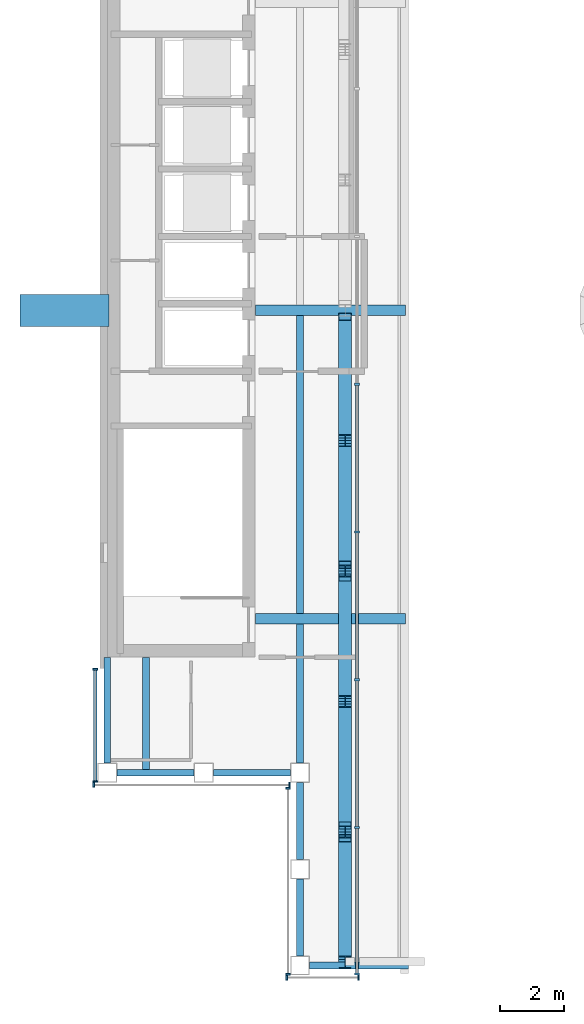
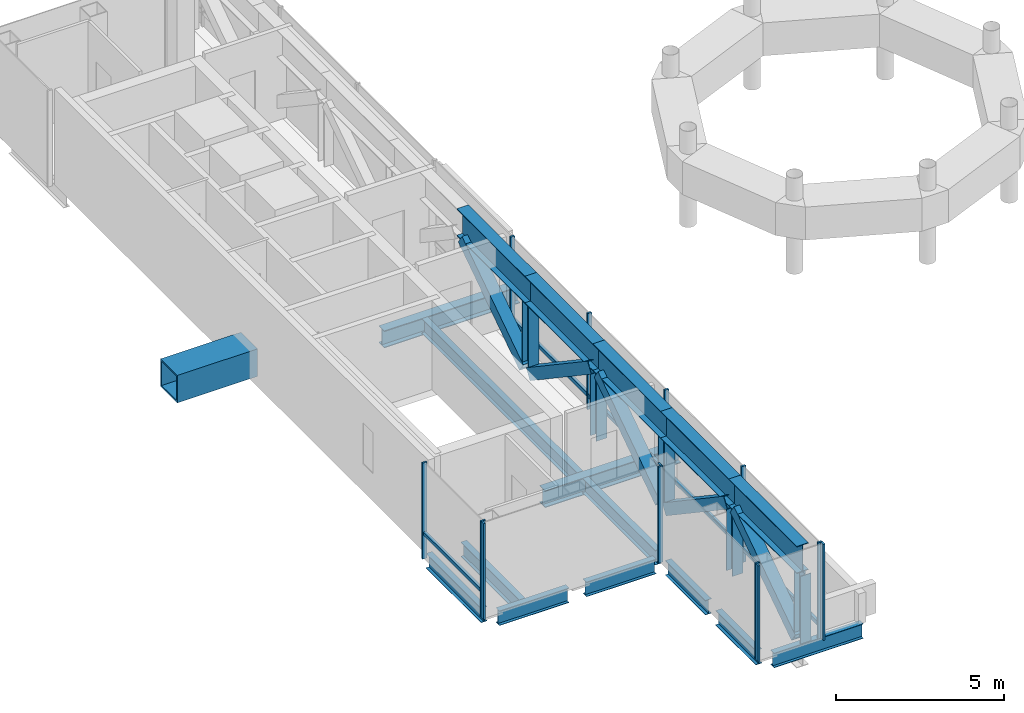
# One storey, part 3 of 16: 33 members, 12 beams, 5 elements without a shape of their own.
"""IFC4 building model written with IfcOpenShell, lengths in metres."""

from ifc_helpers import new_model, si_unit, direction, frame, origin, origin_2d, place, context, subcontext, project, spatial, rectangle, hollow_rectangle, i_section, extrude, material, material_profile, profile_set, type_object, element, aggregate, save


model = new_model("IFC4")

# Units and contexts
model_context = context("Model", 3, precision=1e-05, world=origin(), true_north=direction((0.0, 1.0)))
body_context = subcontext(model_context, "Body", "Model", "MODEL_VIEW")
ifc_project = project(units=[si_unit("LENGTHUNIT", "METRE"), si_unit("AREAUNIT", "SQUARE_METRE"), si_unit("VOLUMEUNIT", "CUBIC_METRE"), si_unit("PLANEANGLEUNIT", "RADIAN"), si_unit("MASSUNIT", "GRAM", prefix="KILO")], contexts=[model_context])

# Site, building, storey
site_placement = place(None, origin())
site = spatial("IfcSite", under=ifc_project, at=site_placement, CompositionType="ELEMENT")
building_placement = place(site_placement, origin())
building = spatial("IfcBuilding", under=site, at=building_placement, Name="Cobrizo Arcos Hotel Tower", CompositionType="ELEMENT")
storey_placement = place(building_placement, frame((0.0, 0.0, 286.5)))
storey = spatial("IfcBuildingStorey", under=building, at=storey_placement, Name="L76", CompositionType="ELEMENT", Elevation=286.5)

# Beam
ifc_material_1 = material(Name="Steel ASTM A572 Grade 50", Category="steel")
ifc_material_profile_1 = material_profile(ifc_material_1, hollow_rectangle(XDim=1.0, YDim=1.0, WallThickness=0.06005859375, at=origin_2d()), Name="BOX 1000X1000X60")
ifc_profile_set_1 = profile_set([ifc_material_profile_1], Name="Steel ASTM A572 Grade 50")
beam_type_1 = type_object("IfcBeamType", Name="BOX 1000X1000X60 brace connector strut", PredefinedType="BEAM", material=ifc_profile_set_1)
beam_1_placement = place(storey_placement, frame((-20.35009765625, 0.0, 0.5), z_axis=(-1.0, 0.0, 0.0), x_axis=(0.0, -1.0, 0.0)))
element("IfcBeam", 1, at=beam_1_placement, inside=storey, type_object=beam_type_1, Name="Perimeter brace stub BS1, zone Z5, west face, offset +0.00 m, L76", PredefinedType="BEAM", context=body_context, shape_type="SweptSolid", body=[
    extrude(hollow_rectangle(XDim=1.0, YDim=1.0, WallThickness=0.06005859375, at=origin_2d()), origin(), (0.0, 0.0, 1.0), 2.77001953125),
])

# Curtain wall, members
ifc_material_2 = material(Name="Aluminium 6063-T6 anodised bronze", Category="aluminium")
curtain_wall_type_1 = type_object("IfcCurtainWallType", Name="CW-A guest facade", PredefinedType="NOTDEFINED", material=ifc_material_2)
curtain_wall_1_placement = place(storey_placement, origin())
curtain_wall_1 = element("IfcCurtainWall", 2, at=curtain_wall_1_placement, inside=storey, type_object=curtain_wall_type_1, Name="CW-A L76 S face", PredefinedType="NOTDEFINED")
ifc_material_profile_2 = material_profile(ifc_material_2, rectangle(XDim=0.14990234375, YDim=0.06005859375, at=origin_2d()), Name="CW-A mullion 150x60")
ifc_profile_set_2 = profile_set([ifc_material_profile_2], Name="Aluminium 6063-T6 anodised bronze")
member_type_1 = type_object("IfcMemberType", Name="CW-A mullion 150x60", PredefinedType="MULLION", material=ifc_profile_set_2)
member_1_placement = place(storey_placement, frame((-14.820068359375, -20.77490234375, 0.0), z_axis=(0.0, 0.0, 1.0), x_axis=(0.0, -1.0, 0.0)))
member_1 = element("IfcMember", 3, at=member_1_placement, type_object=member_type_1, Name="CW-A mullion 1", PredefinedType="MULLION", context=body_context, shape_type="SweptSolid", body=[
    extrude(rectangle(XDim=0.14990234375, YDim=0.06005859375, at=origin_2d()), origin(), (0.0, 0.0, 1.0), 3.5),
])
member_2_placement = place(storey_placement, frame((-12.580078125, -20.77490234375, 0.0), z_axis=(0.0, 0.0, 1.0), x_axis=(0.0, -1.0, 0.0)))
member_2 = element("IfcMember", 4, at=member_2_placement, type_object=member_type_1, Name="CW-A mullion 2", PredefinedType="MULLION", context=body_context, shape_type="SweptSolid", body=[
    extrude(rectangle(XDim=0.14990234375, YDim=0.06005859375, at=origin_2d()), origin(), (0.0, 0.0, 1.0), 3.5),
])
aggregate(curtain_wall_1, [member_1, member_2])

curtain_wall_2_placement = place(storey_placement, origin())
curtain_wall_2 = element("IfcCurtainWall", 5, at=curtain_wall_2_placement, inside=storey, type_object=curtain_wall_type_1, Name="CW-A L76 W face", PredefinedType="NOTDEFINED")
member_3_placement = place(storey_placement, frame((-20.77490234375, -11.179931640625, 0.0), z_axis=(0.0, 0.0, 1.0), x_axis=(-1.0, 0.0, 0.0)))
member_3 = element("IfcMember", 6, at=member_3_placement, type_object=member_type_1, Name="CW-A mullion 1", PredefinedType="MULLION", context=body_context, shape_type="SweptSolid", body=[
    extrude(rectangle(XDim=0.14990234375, YDim=0.06005859375, at=origin_2d()), origin(), (0.0, 0.0, 1.0), 3.5),
])
member_4_placement = place(storey_placement, frame((-20.77490234375, -14.669921875, 0.0), z_axis=(0.0, 0.0, 1.0), x_axis=(-1.0, 0.0, 0.0)))
member_4 = element("IfcMember", 7, at=member_4_placement, type_object=member_type_1, Name="CW-A mullion 2", PredefinedType="MULLION", context=body_context, shape_type="SweptSolid", body=[
    extrude(rectangle(XDim=0.14990234375, YDim=0.06005859375, at=origin_2d()), origin(), (0.0, 0.0, 1.0), 3.5),
])

curtain_wall_3_placement = place(storey_placement, origin())
curtain_wall_3 = element("IfcCurtainWall", 8, at=curtain_wall_3_placement, inside=storey, type_object=curtain_wall_type_1, Name="CW-A L76 S face", PredefinedType="NOTDEFINED")
member_5_placement = place(storey_placement, frame((-20.820068359375, -14.77490234375, 0.0), z_axis=(0.0, 0.0, 1.0), x_axis=(0.0, -1.0, 0.0)))
member_5 = element("IfcMember", 9, at=member_5_placement, type_object=member_type_1, Name="CW-A mullion 1", PredefinedType="MULLION", context=body_context, shape_type="SweptSolid", body=[
    extrude(rectangle(XDim=0.14990234375, YDim=0.06005859375, at=origin_2d()), origin(), (0.0, 0.0, 1.0), 3.5),
])
member_6_placement = place(storey_placement, frame((-14.72998046875, -14.77490234375, 0.0), z_axis=(0.0, 0.0, 1.0), x_axis=(0.0, -1.0, 0.0)))
member_6 = element("IfcMember", 10, at=member_6_placement, type_object=member_type_1, Name="CW-A mullion 2", PredefinedType="MULLION", context=body_context, shape_type="SweptSolid", body=[
    extrude(rectangle(XDim=0.14990234375, YDim=0.06005859375, at=origin_2d()), origin(), (0.0, 0.0, 1.0), 3.5),
])
aggregate(curtain_wall_3, [member_5, member_6])

curtain_wall_4_placement = place(storey_placement, origin())
curtain_wall_4 = element("IfcCurtainWall", 11, at=curtain_wall_4_placement, inside=storey, type_object=curtain_wall_type_1, Name="CW-A L76 W face", PredefinedType="NOTDEFINED")
member_7_placement = place(storey_placement, frame((-14.77490234375, -14.8798828125, 0.0), z_axis=(0.0, 0.0, 1.0), x_axis=(-1.0, 0.0, 0.0)))
member_7 = element("IfcMember", 12, at=member_7_placement, type_object=member_type_1, Name="CW-A mullion 1", PredefinedType="MULLION", context=body_context, shape_type="SweptSolid", body=[
    extrude(rectangle(XDim=0.14990234375, YDim=0.06005859375, at=origin_2d()), origin(), (0.0, 0.0, 1.0), 3.5),
])
member_8_placement = place(storey_placement, frame((-14.77490234375, -20.669921875, 0.0), z_axis=(0.0, 0.0, 1.0), x_axis=(-1.0, 0.0, 0.0)))
member_8 = element("IfcMember", 13, at=member_8_placement, type_object=member_type_1, Name="CW-A mullion 2", PredefinedType="MULLION", context=body_context, shape_type="SweptSolid", body=[
    extrude(rectangle(XDim=0.14990234375, YDim=0.06005859375, at=origin_2d()), origin(), (0.0, 0.0, 1.0), 3.5),
])
aggregate(curtain_wall_4, [member_7, member_8])

# Member
ifc_material_profile_3 = material_profile(ifc_material_2, rectangle(XDim=0.10009765625, YDim=0.1201171875, at=origin_2d()), Name="CW-A transom 120x100")
ifc_profile_set_3 = profile_set([ifc_material_profile_3], Name="Aluminium 6063-T6 anodised bronze")
member_type_2 = type_object("IfcMemberType", Name="CW-A transom 120x100", PredefinedType="USERDEFINED", material=ifc_profile_set_3)
member_9_placement = place(storey_placement, frame((-20.77490234375, -11.2099609375, 0.929931640625), z_axis=(0.0, -1.0, 0.0), x_axis=(1.0, 0.0, 0.0)))
member_9 = element("IfcMember", 14, at=member_9_placement, type_object=member_type_2, Name="CW-A transom 2423", ObjectType="TRANSOM", PredefinedType="USERDEFINED", context=body_context, shape_type="SweptSolid", body=[
    extrude(rectangle(XDim=0.10009765625, YDim=0.1201171875, at=origin_2d()), origin(), (0.0, 0.0, 1.0), 3.429931640625),
])

aggregate(curtain_wall_2, [member_3, member_4, member_9])

# Curtain wall, members
curtain_wall_type_2 = type_object("IfcCurtainWallType", Name="CW-C arch infill and crown glazing", PredefinedType="NOTDEFINED", material=ifc_material_2)
curtain_wall_5_placement = place(storey_placement, origin())
curtain_wall_5 = element("IfcCurtainWall", 15, at=curtain_wall_5_placement, inside=storey, type_object=curtain_wall_type_2, Name="CW-C L76 E face", PredefinedType="NOTDEFINED")
ifc_material_profile_4 = material_profile(ifc_material_2, rectangle(XDim=0.14990234375, YDim=0.070068359375, at=origin_2d()), Name="CW-C mullion 150x70")
ifc_profile_set_4 = profile_set([ifc_material_profile_4], Name="Aluminium 6063-T6 anodised bronze")
member_type_3 = type_object("IfcMemberType", Name="CW-C mullion 150x70", PredefinedType="MULLION", material=ifc_profile_set_4)
member_10_placement = place(storey_placement, frame((-12.625, -20.6650390625, 0.0), z_axis=(0.0, 0.0, 1.0), x_axis=(1.0, 0.0, 0.0)))
member_10 = element("IfcMember", 16, at=member_10_placement, type_object=member_type_3, Name="CW-C mullion 1", PredefinedType="MULLION", context=body_context, shape_type="SweptSolid", body=[
    extrude(rectangle(XDim=0.14990234375, YDim=0.070068359375, at=origin_2d()), origin(), (0.0, 0.0, 1.0), 3.5),
])
member_11_placement = place(storey_placement, frame((-12.625, -16.10009765625, 0.0), z_axis=(0.0, 0.0, 1.0), x_axis=(1.0, 0.0, 0.0)))
member_11 = element("IfcMember", 17, at=member_11_placement, type_object=member_type_3, Name="CW-C mullion 2", PredefinedType="MULLION", context=body_context, shape_type="SweptSolid", body=[
    extrude(rectangle(XDim=0.14990234375, YDim=0.070068359375, at=origin_2d()), origin(), (0.0, 0.0, 1.0), 3.5),
])
member_12_placement = place(storey_placement, frame((-12.625, -11.5, 0.0), z_axis=(0.0, 0.0, 1.0), x_axis=(1.0, 0.0, 0.0)))
member_12 = element("IfcMember", 18, at=member_12_placement, type_object=member_type_3, Name="CW-C mullion 3", PredefinedType="MULLION", context=body_context, shape_type="SweptSolid", body=[
    extrude(rectangle(XDim=0.14990234375, YDim=0.070068359375, at=origin_2d()), origin(), (0.0, 0.0, 1.0), 3.5),
])
member_13_placement = place(storey_placement, frame((-12.625, -6.89990234375, 0.0), z_axis=(0.0, 0.0, 1.0), x_axis=(1.0, 0.0, 0.0)))
member_13 = element("IfcMember", 19, at=member_13_placement, type_object=member_type_3, Name="CW-C mullion 4", PredefinedType="MULLION", context=body_context, shape_type="SweptSolid", body=[
    extrude(rectangle(XDim=0.14990234375, YDim=0.070068359375, at=origin_2d()), origin(), (0.0, 0.0, 1.0), 3.5),
])
member_14_placement = place(storey_placement, frame((-12.625, -2.300048828125, 0.0), z_axis=(0.0, 0.0, 1.0), x_axis=(1.0, 0.0, 0.0)))
member_14 = element("IfcMember", 20, at=member_14_placement, type_object=member_type_3, Name="CW-C mullion 5", PredefinedType="MULLION", context=body_context, shape_type="SweptSolid", body=[
    extrude(rectangle(XDim=0.14990234375, YDim=0.070068359375, at=origin_2d()), origin(), (0.0, 0.0, 1.0), 3.5),
])
ifc_material_profile_5 = material_profile(ifc_material_2, rectangle(XDim=0.10009765625, YDim=0.139892578125, at=origin_2d()), Name="CW-C transom 140x100")
ifc_profile_set_5 = profile_set([ifc_material_profile_5], Name="Aluminium 6063-T6 anodised bronze")
member_type_4 = type_object("IfcMemberType", Name="CW-C transom 140x100", PredefinedType="USERDEFINED", material=ifc_profile_set_5)
member_15_placement = place(storey_placement, frame((-12.625, -20.6298828125, 0.5), z_axis=(0.0, 1.0, 0.0), x_axis=(-1.0, 0.0, 0.0)))
member_15 = element("IfcMember", 21, at=member_15_placement, type_object=member_type_4, Name="CW-C transom 2410", ObjectType="TRANSOM", PredefinedType="USERDEFINED", context=body_context, shape_type="SweptSolid", body=[
    extrude(rectangle(XDim=0.10009765625, YDim=0.139892578125, at=origin_2d()), origin(), (0.0, 0.0, 1.0), 4.494873046875),
])
member_16_placement = place(storey_placement, frame((-12.625, -16.06494140625, 0.5), z_axis=(0.0, 1.0, 0.0), x_axis=(-1.0, 0.0, 0.0)))
member_16 = element("IfcMember", 22, at=member_16_placement, type_object=member_type_4, Name="CW-C transom 2411", ObjectType="TRANSOM", PredefinedType="USERDEFINED", context=body_context, shape_type="SweptSolid", body=[
    extrude(rectangle(XDim=0.10009765625, YDim=0.139892578125, at=origin_2d()), origin(), (0.0, 0.0, 1.0), 4.530029296875),
])
member_17_placement = place(storey_placement, frame((-12.625, -11.465087890625, 0.5), z_axis=(0.0, 1.0, 0.0), x_axis=(-1.0, 0.0, 0.0)))
member_17 = element("IfcMember", 23, at=member_17_placement, type_object=member_type_4, Name="CW-C transom 2412", ObjectType="TRANSOM", PredefinedType="USERDEFINED", context=body_context, shape_type="SweptSolid", body=[
    extrude(rectangle(XDim=0.10009765625, YDim=0.139892578125, at=origin_2d()), origin(), (0.0, 0.0, 1.0), 4.530029296875),
])
member_18_placement = place(storey_placement, frame((-12.625, -6.864990234375, 0.5), z_axis=(0.0, 1.0, 0.0), x_axis=(-1.0, 0.0, 0.0)))
member_18 = element("IfcMember", 24, at=member_18_placement, type_object=member_type_4, Name="CW-C transom 2413", ObjectType="TRANSOM", PredefinedType="USERDEFINED", context=body_context, shape_type="SweptSolid", body=[
    extrude(rectangle(XDim=0.10009765625, YDim=0.139892578125, at=origin_2d()), origin(), (0.0, 0.0, 1.0), 4.530029296875),
])
aggregate(curtain_wall_5, [member_10, member_11, member_12, member_13, member_14, member_15, member_16, member_17, member_18])

# Members
ifc_material_3 = material(Name="Steel ASTM A500 Grade C", Category="steel")
ifc_material_profile_6 = material_profile(ifc_material_3, hollow_rectangle(XDim=0.406494140625, YDim=0.406494140625, WallThickness=0.014892578125, at=origin_2d()), Name="HSS16X16X5/8")
ifc_profile_set_6 = profile_set([ifc_material_profile_6], Name="Steel ASTM A500 Grade C")
member_type_5 = type_object("IfcMemberType", Name="HSS16X16X5/8 crown edge truss diagonal", PredefinedType="BRACE", material=ifc_profile_set_6)
for number, where, z_axis, x_axis, name in (
    (25, (-13.0, -20.09521484375, -0.14990234375), (0.0, 0.829957061143, 0.557827282104), (-1.0, 0.0, 0.0), "Crown truss diagonal CD1, west side, no. 00"),
    (26, (-13.0, -16.036376953125, 2.309326171875), (0.0, 0.829974292143, -0.557801644299), (-1.0, 0.0, 0.0), "Crown truss diagonal CD1, west side, no. 01"),
    (27, (-13.0, -11.977294921875, -0.14990234375), (0.0, 0.829974292143, 0.557801644299), (-1.0, 0.0, 0.0), "Crown truss diagonal CD1, west side, no. 02"),
    (28, (-13.0, -7.918212890625, 2.309326171875), (0.0, 0.829974292143, -0.557801644299), (-1.0, 0.0, 0.0), "Crown truss diagonal CD1, west side, no. 03"),
    (29, (-13.0, -3.859130859375, -0.14990234375), (0.0, 0.829974292143, 0.557801644299), (-1.0, 0.0, 0.0), "Crown truss diagonal CD1, west side, no. 04"),
):
    element("IfcMember", number, at=place(storey_placement, frame(where, z_axis=z_axis, x_axis=x_axis)), inside=storey, type_object=member_type_5, Name=name, PredefinedType="BRACE", context=body_context, shape_type="SweptSolid", body=[
        extrude(hollow_rectangle(XDim=0.406494140625, YDim=0.406494140625, WallThickness=0.014892578125, at=origin_2d()), origin(), (0.0, 0.0, 1.0), 4.40869140625),
    ])
ifc_material_4 = material(Name="Steel ASTM A992 Grade 50", Category="steel")
ifc_material_profile_7 = material_profile(ifc_material_4, i_section(OverallWidth=0.373291015625, OverallDepth=0.373291015625, WebThickness=0.016357421875, FlangeThickness=0.026123046875, at=origin_2d()), Name="W14X132")
ifc_profile_set_7 = profile_set([ifc_material_profile_7], Name="Steel ASTM A992 Grade 50")
member_type_6 = type_object("IfcMemberType", Name="W14X132 crown edge truss post", PredefinedType="POST", material=ifc_profile_set_7)
for number, where, z_axis, x_axis, name in (
    (30, (-13.0, -20.29541015625, -0.14990234375), (0.0, 0.0, 1.0), (1.0, 0.0, 0.0), "Crown truss post CP1, west side, no. 00"),
    (31, (-13.0, -16.236328125, -0.14990234375), (0.0, 0.0, 1.0), (1.0, 0.0, 0.0), "Crown truss post CP1, west side, no. 01"),
    (32, (-13.0, -12.17724609375, -0.14990234375), (0.0, 0.0, 1.0), (1.0, 0.0, 0.0), "Crown truss post CP1, west side, no. 02"),
    (33, (-13.0, -8.1181640625, -0.14990234375), (0.0, 0.0, 1.0), (1.0, 0.0, 0.0), "Crown truss post CP1, west side, no. 03"),
    (34, (-13.0, -4.05908203125, -0.14990234375), (0.0, 0.0, 1.0), (1.0, 0.0, 0.0), "Crown truss post CP1, west side, no. 04"),
):
    element("IfcMember", number, at=place(storey_placement, frame(where, z_axis=z_axis, x_axis=x_axis)), inside=storey, type_object=member_type_6, Name=name, PredefinedType="POST", context=body_context, shape_type="SweptSolid", body=[
        extrude(i_section(OverallWidth=0.373291015625, OverallDepth=0.373291015625, WebThickness=0.016357421875, FlangeThickness=0.026123046875, at=origin_2d()), origin(), (0.0, 0.0, 1.0), 2.459228515625),
    ])

# Beams
ifc_material_profile_8 = material_profile(ifc_material_4, i_section(OverallWidth=0.209228515625, OverallDepth=0.533447265625, WebThickness=0.01025390625, FlangeThickness=0.015625, at=origin_2d()), Name="W21X62")
ifc_profile_set_8 = profile_set([ifc_material_profile_8], Name="Steel ASTM A992 Grade 50")
beam_type_2 = type_object("IfcBeamType", Name="W21X62 joist", PredefinedType="JOIST", material=ifc_profile_set_8)
beam_2_placement = place(storey_placement, frame((-19.199951171875, -14.31005859375, -0.416748046875), z_axis=(0.0, 1.0, 0.0), x_axis=(-1.0, 0.0, 0.0)))
element("IfcBeam", 35, at=beam_2_placement, inside=storey, type_object=beam_type_2, Name="Floor joist J1, L76, no. 001", PredefinedType="JOIST", context=body_context, shape_type="SweptSolid", body=[
    extrude(i_section(OverallWidth=0.209228515625, OverallDepth=0.533447265625, WebThickness=0.01025390625, FlangeThickness=0.015625, at=origin_2d()), origin(), (0.0, 0.0, 1.0), 3.5),
])
beam_3_placement = place(storey_placement, frame((-14.39990234375, -14.10009765625, -0.416748046875), z_axis=(0.0, 1.0, 0.0), x_axis=(-1.0, 0.0, 0.0)))
element("IfcBeam", 36, at=beam_3_placement, inside=storey, type_object=beam_type_2, Name="Floor joist J1, L76, no. 003", PredefinedType="JOIST", context=body_context, shape_type="SweptSolid", body=[
    extrude(i_section(OverallWidth=0.209228515625, OverallDepth=0.533447265625, WebThickness=0.01025390625, FlangeThickness=0.015625, at=origin_2d()), origin(), (0.0, 0.0, 1.0), 4.336181640625),
])
beam_4_placement = place(storey_placement, frame((-14.39990234375, -9.43603515625, -0.416748046875), z_axis=(0.0, 1.0, 0.0), x_axis=(-1.0, 0.0, 0.0)))
element("IfcBeam", 37, at=beam_4_placement, inside=storey, type_object=beam_type_2, Name="Floor joist J1, L76, no. 004", PredefinedType="JOIST", context=body_context, shape_type="SweptSolid", body=[
    extrude(i_section(OverallWidth=0.209228515625, OverallDepth=0.533447265625, WebThickness=0.01025390625, FlangeThickness=0.015625, at=origin_2d()), origin(), (0.0, 0.0, 1.0), 9.272216796875),
])
ifc_material_profile_9 = material_profile(ifc_material_4, i_section(OverallWidth=0.209228515625, OverallDepth=0.533447265625, WebThickness=0.01025390625, FlangeThickness=0.015625, at=origin_2d()), Name="W21X62")
ifc_profile_set_9 = profile_set([ifc_material_profile_9], Name="Steel ASTM A992 Grade 50")
beam_type_3 = type_object("IfcBeamType", Name="W21X62 spandrel", PredefinedType="SPANDREL", material=ifc_profile_set_9)
beam_5_placement = place(storey_placement, frame((-20.39990234375, -14.10009765625, -0.416748046875), z_axis=(0.0, 1.0, 0.0), x_axis=(-1.0, 0.0, 0.0)))
element("IfcBeam", 38, at=beam_5_placement, inside=storey, type_object=beam_type_3, Name="Spandrel beam W21X62, L76, no. 001", PredefinedType="SPANDREL", context=body_context, shape_type="SweptSolid", body=[
    extrude(i_section(OverallWidth=0.209228515625, OverallDepth=0.533447265625, WebThickness=0.01025390625, FlangeThickness=0.015625, at=origin_2d()), origin(), (0.0, 0.0, 1.0), 3.2900390625),
])
beam_6_placement = place(storey_placement, frame((-11.02587890625, -20.39990234375, -0.416748046875), z_axis=(-1.0, 0.0, 0.0), x_axis=(0.0, -1.0, 0.0)))
element("IfcBeam", 39, at=beam_6_placement, inside=storey, type_object=beam_type_3, Name="Spandrel beam W21X62, L76, no. 008", PredefinedType="SPANDREL", context=body_context, shape_type="SweptSolid", body=[
    extrude(i_section(OverallWidth=0.209228515625, OverallDepth=0.533447265625, WebThickness=0.01025390625, FlangeThickness=0.015625, at=origin_2d()), origin(), (0.0, 0.0, 1.0), 3.07421875),
])
for number, where, z_axis, x_axis, name in (
    (40, (-14.39990234375, -20.10009765625, -0.416748046875), (0.0, 1.0, 0.0), (-1.0, 0.0, 0.0), "Spandrel beam W21X62, L76, no. 009"),
    (41, (-14.39990234375, -17.10009765625, -0.416748046875), (0.0, 1.0, 0.0), (-1.0, 0.0, 0.0), "Spandrel beam W21X62, L76, no. 010"),
    (42, (-14.699951171875, -14.39990234375, -0.416748046875), (-1.0, 0.0, 0.0), (0.0, -1.0, 0.0), "Spandrel beam W21X62, L76, no. 011"),
    (43, (-17.699951171875, -14.39990234375, -0.416748046875), (-1.0, 0.0, 0.0), (0.0, -1.0, 0.0), "Spandrel beam W21X62, L76, no. 012"),
):
    element("IfcBeam", number, at=place(storey_placement, frame(where, z_axis=z_axis, x_axis=x_axis)), inside=storey, type_object=beam_type_3, Name=name, PredefinedType="SPANDREL", context=body_context, shape_type="SweptSolid", body=[
        extrude(i_section(OverallWidth=0.209228515625, OverallDepth=0.533447265625, WebThickness=0.01025390625, FlangeThickness=0.015625, at=origin_2d()), origin(), (0.0, 0.0, 1.0), 2.400146484375),
    ])
ifc_material_profile_10 = material_profile(ifc_material_4, i_section(OverallWidth=0.32763671875, OverallDepth=0.622314453125, WebThickness=0.015380859375, FlangeThickness=0.0244140625, at=origin_2d()), Name="W24X131")
ifc_profile_set_10 = profile_set([ifc_material_profile_10], Name="Steel ASTM A992 Grade 50")
beam_type_4 = type_object("IfcBeamType", Name="W24X131 girder", PredefinedType="BEAM", material=ifc_profile_set_10)
for number, where, z_axis, x_axis, name in (
    (44, (-15.7900390625, -9.60009765625, -0.461181640625), (1.0, 0.0, 0.0), (0.0, 1.0, 0.0), "Floor girder G1, L76, no. 001"),
    (45, (-15.7900390625, 0.0, -0.461181640625), (1.0, 0.0, 0.0), (0.0, 1.0, 0.0), "Floor girder G1, L76, no. 003"),
):
    element("IfcBeam", number, at=place(storey_placement, frame(where, z_axis=z_axis, x_axis=x_axis)), inside=storey, type_object=beam_type_4, Name=name, PredefinedType="BEAM", context=body_context, shape_type="SweptSolid", body=[
        extrude(i_section(OverallWidth=0.32763671875, OverallDepth=0.622314453125, WebThickness=0.015380859375, FlangeThickness=0.0244140625, at=origin_2d()), origin(), (0.0, 0.0, 1.0), 4.674072265625),
    ])

# Members
ifc_material_profile_11 = material_profile(ifc_material_4, i_section(OverallWidth=0.4013671875, OverallDepth=0.990478515625, WebThickness=0.0166015625, FlangeThickness=0.025390625, at=origin_2d()), Name="W40X215")
ifc_profile_set_11 = profile_set([ifc_material_profile_11], Name="Steel ASTM A992 Grade 50")
member_type_7 = type_object("IfcMemberType", Name="W40X215 crown edge truss chord", PredefinedType="CHORD", material=ifc_profile_set_11)
for number, where, z_axis, x_axis, name in (
    (46, (-13.0, -20.29541015625, 2.8046875), (0.0, 1.0, 0.0), (-1.0, 0.0, 0.0), "Crown truss top chord CC1, west side, no. 00"),
    (47, (-13.0, -16.236328125, 2.8046875), (0.0, 1.0, 0.0), (-1.0, 0.0, 0.0), "Crown truss top chord CC1, west side, no. 01"),
    (48, (-13.0, -12.17724609375, 2.8046875), (0.0, 1.0, 0.0), (-1.0, 0.0, 0.0), "Crown truss top chord CC1, west side, no. 02"),
    (49, (-13.0, -8.1181640625, 2.8046875), (0.0, 1.0, 0.0), (-1.0, 0.0, 0.0), "Crown truss top chord CC1, west side, no. 03"),
    (50, (-13.0, -4.05908203125, 2.8046875), (0.0, 1.0, 0.0), (-1.0, 0.0, 0.0), "Crown truss top chord CC1, west side, no. 04"),
):
    element("IfcMember", number, at=place(storey_placement, frame(where, z_axis=z_axis, x_axis=x_axis)), inside=storey, type_object=member_type_7, Name=name, PredefinedType="CHORD", context=body_context, shape_type="SweptSolid", body=[
        extrude(i_section(OverallWidth=0.4013671875, OverallDepth=0.990478515625, WebThickness=0.0166015625, FlangeThickness=0.025390625, at=origin_2d()), origin(), (0.0, 0.0, 1.0), 4.05908203125),
    ])

save(model, "model.ifc")
